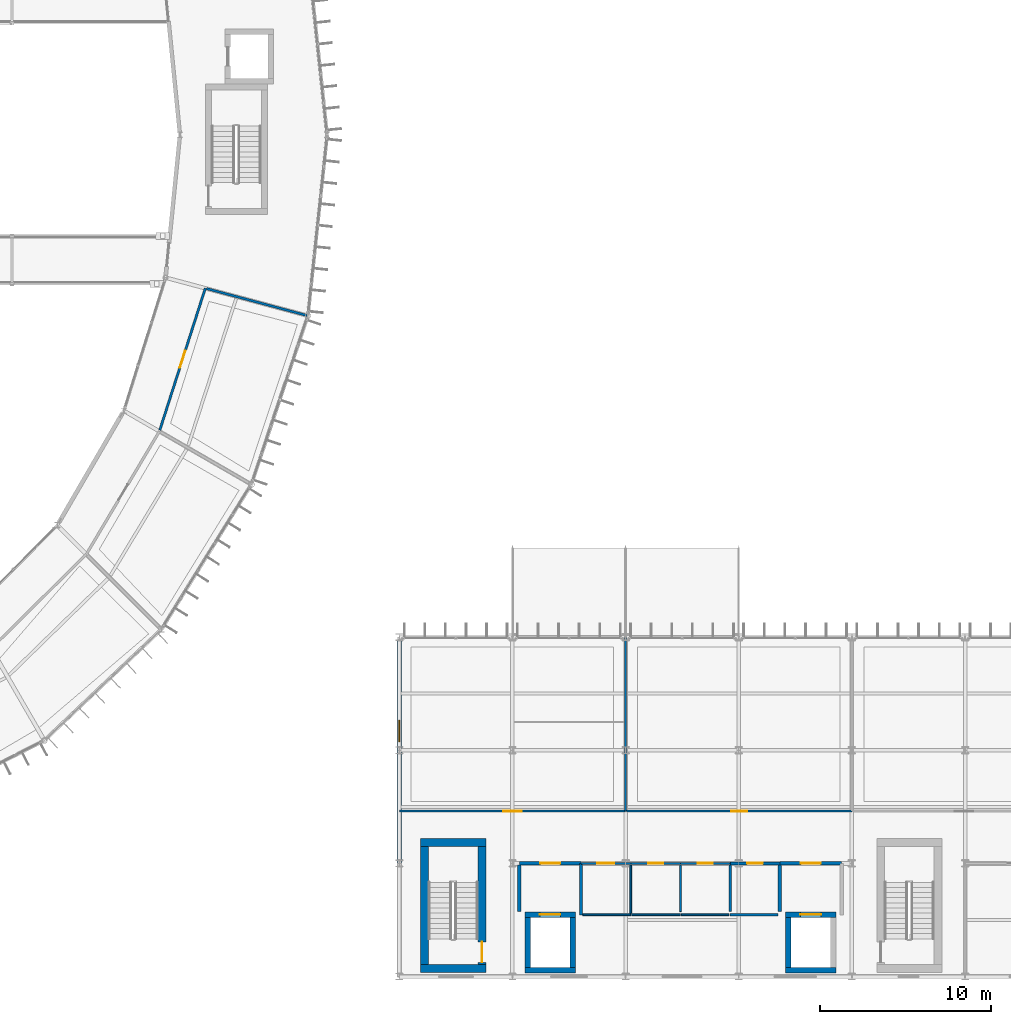
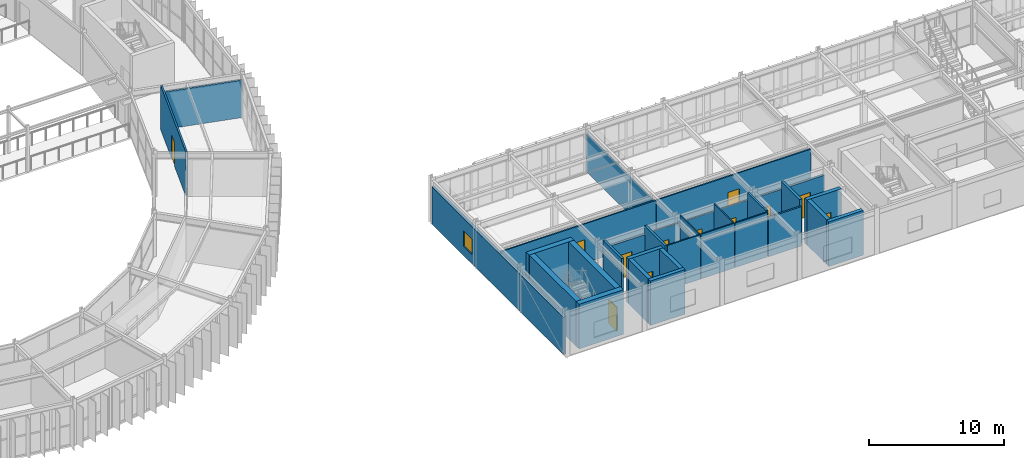
# One storey, part 124 of 148: 33 walls, 12 doors, 1 window, 13 openings.
"""IFC4 building model written with IfcOpenShell, lengths in metres."""

from ifc_helpers import new_model, si_unit, direction, frame, frame_2d, origin, place, context, subcontext, project, spatial, rectangle, extrude, material, layer, layer_set, type_object, element, fill, save


model = new_model("IFC4")

# Units and contexts
model_context = context("Model", 3, precision=1e-05, world=origin(), true_north=direction((0.0, 1.0)))
body_context = subcontext(model_context, "Body", "Model", "MODEL_VIEW")
ifc_project = project(units=[si_unit("LENGTHUNIT", "METRE"), si_unit("AREAUNIT", "SQUARE_METRE"), si_unit("VOLUMEUNIT", "CUBIC_METRE"), si_unit("PLANEANGLEUNIT", "RADIAN"), si_unit("MASSUNIT", "GRAM", prefix="KILO")], contexts=[model_context])

# Site, building, storey
site_placement = place(None, origin())
site = spatial("IfcSite", under=ifc_project, at=site_placement, CompositionType="ELEMENT")
building_placement = place(site_placement, origin())
building = spatial("IfcBuilding", under=site, at=building_placement, Name="Karori Crest Natural Sciences Institute", CompositionType="ELEMENT")
storey_placement = place(building_placement, frame((0.0, 0.0, 4.89990234375)))
storey = spatial("IfcBuildingStorey", under=building, at=storey_placement, Name="L01", CompositionType="ELEMENT", Elevation=4.89990234375)

# Walls
ifc_material_1 = material(Name="Concrete 50 MPa", Category="concrete")
ifc_layer_1 = layer(ifc_material_1, 0.449951171875, Name="Concrete 50 MPa")
ifc_layer_set_1 = layer_set([ifc_layer_1], Name="Concrete 50 MPa")
wall_type_1 = type_object("IfcWallType", Name="IWT-01", PredefinedType="SHEAR", material=ifc_layer_set_1)
for number, where, z_axis, x_axis, name in (
    (1, (104.85009765625, 1.27490234375, 0.0), (0.0, 0.0, 1.0), (1.0, 0.0, 0.0), "Shear wall IW-0077"),
    (2, (104.85009765625, 8.625, 0.0), (0.0, 0.0, 1.0), (1.0, 0.0, 0.0), "Shear wall IW-0078"),
):
    element("IfcWall", number, at=place(storey_placement, frame(where, z_axis=z_axis, x_axis=x_axis)), inside=storey, type_object=wall_type_1, Name=name, PredefinedType="SHEAR", context=body_context, shape_type="SweptSolid", body=[
        extrude(rectangle(XDim=3.7998046875, YDim=0.449951171875, at=frame_2d((1.89990234375, 0.0))), origin(), (0.0, 0.0, 1.0), 4.02001953125),
    ])
wall_1_placement = place(storey_placement, frame((105.074951171875, 1.501953125, 0.0), z_axis=(0.0, 0.0, 1.0), x_axis=(0.0, 1.0, 0.0)))
element("IfcWall", 3, at=wall_1_placement, inside=storey, type_object=wall_type_1, Name="Shear wall IW-0079", PredefinedType="SHEAR", context=body_context, shape_type="SweptSolid", body=[
    extrude(rectangle(XDim=6.89599609375, YDim=0.449951171875, at=frame_2d((3.447998046875, 0.0))), origin(), (0.0, 0.0, 1.0), 4.02001953125),
])

# Wall, opening, door
wall_2_placement = place(storey_placement, frame((108.425048828125, 1.501953125, 0.0), z_axis=(0.0, 0.0, 1.0), x_axis=(0.0, 1.0, 0.0)))
wall_2 = element("IfcWall", 4, at=wall_2_placement, inside=storey, type_object=wall_type_1, Name="Shear wall IW-0080", PredefinedType="SHEAR", context=body_context, shape_type="SweptSolid", body=[
    extrude(rectangle(XDim=6.89599609375, YDim=0.449951171875, at=frame_2d((3.447998046875, 0.0))), origin(), (0.0, 0.0, 1.0), 4.02001953125),
])
opening_1_placement = place(wall_2_placement, frame((0.1201171875, 0.0, 0.0)))
opening_1 = element("IfcOpeningElement", 5, at=opening_1_placement, cuts=wall_2, Name="Opening ID-0020", PredefinedType="OPENING", context=body_context, shape_type="SweptSolid", body=[
    extrude(rectangle(XDim=1.199951171875, YDim=2.14990234375, at=frame_2d((0.60009765625, 1.074951171875))), frame((0.0, 0.23486328125, 0.0), z_axis=(0.0, -1.0, 0.0), x_axis=(1.0, 0.0, 0.0)), (0.0, 0.0, 1.0), 0.469970703125),
])
ifc_material_2 = material(Name="Stainless steel 316 and fire-rated timber", Category="steel")
door_type_1 = type_object("IfcDoorType", Name="IDT-01", OperationType="NOTDEFINED", PredefinedType="DOOR", material=ifc_material_2)
door_1_placement = place(opening_1_placement, origin())
door_1 = element("IfcDoor", 6, at=door_1_placement, inside=storey, type_object=door_type_1, Name="Stair ST-03 fire door ID-0020", OperationType="SINGLE_SWING_RIGHT", OverallHeight=2.14990234375, OverallWidth=1.199951171875, PredefinedType="DOOR", context=body_context, shape_type="SweptSolid", body=[
    extrude(rectangle(XDim=1.199951171875, YDim=2.14990234375, at=frame_2d((0.60009765625, 1.074951171875))), frame((0.0, 0.02490234375, 0.0), z_axis=(0.0, -1.0, 0.0), x_axis=(1.0, 0.0, 0.0)), (0.0, 0.0, 1.0), 0.050048828125),
])
fill(opening_1, door_1)

# Wall
ifc_layer_2 = layer(ifc_material_1, 0.320068359375, Name="Concrete 50 MPa")
ifc_layer_set_2 = layer_set([ifc_layer_2], Name="Concrete 50 MPa")
wall_type_2 = type_object("IfcWallType", Name="IWT-03", PredefinedType="SHEAR", material=ifc_layer_set_2)
wall_3_placement = place(storey_placement, frame((110.919921875, 1.179931640625, 0.0), z_axis=(0.0, 0.0, 1.0), x_axis=(1.0, 0.0, 0.0)))
element("IfcWall", 7, at=wall_3_placement, inside=storey, type_object=wall_type_2, Name="Shear wall IW-0313", PredefinedType="SHEAR", context=body_context, shape_type="SweptSolid", body=[
    extrude(rectangle(XDim=2.9599609375, YDim=0.320068359375, at=frame_2d((1.47998046875, 0.0))), origin(), (0.0, 0.0, 1.0), 4.02001953125),
])

# Wall, opening, door
wall_4_placement = place(storey_placement, frame((110.919921875, 4.419921875, 0.0), z_axis=(0.0, 0.0, 1.0), x_axis=(1.0, 0.0, 0.0)))
wall_4 = element("IfcWall", 8, at=wall_4_placement, inside=storey, type_object=wall_type_2, Name="Shear wall IW-0314", PredefinedType="SHEAR", context=body_context, shape_type="SweptSolid", body=[
    extrude(rectangle(XDim=2.9599609375, YDim=0.320068359375, at=frame_2d((1.47998046875, 0.0))), origin(), (0.0, 0.0, 1.0), 4.02001953125),
])
opening_2_placement = place(wall_4_placement, frame((0.8798828125, 0.0, 0.0)))
opening_2 = element("IfcOpeningElement", 9, at=opening_2_placement, cuts=wall_4, Name="Opening LD-0003", PredefinedType="OPENING", context=body_context, shape_type="SweptSolid", body=[
    extrude(rectangle(XDim=1.199951171875, YDim=2.199951171875, at=frame_2d((0.60009765625, 1.10009765625))), frame((0.0, 0.169921875, 0.0), z_axis=(0.0, -1.0, 0.0), x_axis=(1.0, 0.0, 0.0)), (0.0, 0.0, 1.0), 0.340087890625),
])
door_type_2 = type_object("IfcDoorType", Name="LDT-02", OperationType="SLIDING_TO_LEFT", PredefinedType="DOOR", material=ifc_material_2)
door_2_placement = place(opening_2_placement, origin())
door_2 = element("IfcDoor", 10, at=door_2_placement, inside=storey, type_object=door_type_2, Name="Lift LF-01 landing door LD-0003", OperationType="SLIDING_TO_LEFT", OverallHeight=2.199951171875, OverallWidth=1.199951171875, PredefinedType="DOOR", context=body_context, shape_type="SweptSolid", body=[
    extrude(rectangle(XDim=1.199951171875, YDim=2.199951171875, at=frame_2d((0.60009765625, 1.10009765625))), frame((0.0, 0.02490234375, 0.0), z_axis=(0.0, -1.0, 0.0), x_axis=(1.0, 0.0, 0.0)), (0.0, 0.0, 1.0), 0.050048828125),
])
fill(opening_2, door_2)

# Walls
for number, where, z_axis, x_axis, name in (
    (11, (111.080078125, 1.342041015625, 0.0), (0.0, 0.0, 1.0), (0.0, 1.0, 0.0), "Shear wall IW-0315"),
    (12, (113.719970703125, 1.342041015625, 0.0), (0.0, 0.0, 1.0), (0.0, 1.0, 0.0), "Shear wall IW-0316"),
):
    element("IfcWall", number, at=place(storey_placement, frame(where, z_axis=z_axis, x_axis=x_axis)), inside=storey, type_object=wall_type_2, Name=name, PredefinedType="SHEAR", context=body_context, shape_type="SweptSolid", body=[
        extrude(rectangle(XDim=2.916015625, YDim=0.320068359375, at=frame_2d((1.4580078125, 0.0))), origin(), (0.0, 0.0, 1.0), 4.02001953125),
    ])
wall_5_placement = place(storey_placement, frame((126.1201171875, 1.179931640625, 0.0), z_axis=(0.0, 0.0, 1.0), x_axis=(1.0, 0.0, 0.0)))
element("IfcWall", 13, at=wall_5_placement, inside=storey, type_object=wall_type_2, Name="Shear wall IW-0361", PredefinedType="SHEAR", context=body_context, shape_type="SweptSolid", body=[
    extrude(rectangle(XDim=2.9599609375, YDim=0.320068359375, at=frame_2d((1.47998046875, 0.0))), origin(), (0.0, 0.0, 1.0), 4.02001953125),
])

# Wall, opening, door
wall_6_placement = place(storey_placement, frame((126.1201171875, 4.419921875, 0.0), z_axis=(0.0, 0.0, 1.0), x_axis=(1.0, 0.0, 0.0)))
wall_6 = element("IfcWall", 14, at=wall_6_placement, inside=storey, type_object=wall_type_2, Name="Shear wall IW-0362", PredefinedType="SHEAR", context=body_context, shape_type="SweptSolid", body=[
    extrude(rectangle(XDim=2.9599609375, YDim=0.320068359375, at=frame_2d((1.47998046875, 0.0))), origin(), (0.0, 0.0, 1.0), 4.02001953125),
])
opening_3_placement = place(wall_6_placement, frame((0.8798828125, 0.0, 0.0)))
opening_3 = element("IfcOpeningElement", 15, at=opening_3_placement, cuts=wall_6, Name="Opening LD-0015", PredefinedType="OPENING", context=body_context, shape_type="SweptSolid", body=[
    extrude(rectangle(XDim=1.199951171875, YDim=2.199951171875, at=frame_2d((0.60009765625, 1.10009765625))), frame((0.0, 0.169921875, 0.0), z_axis=(0.0, -1.0, 0.0), x_axis=(1.0, 0.0, 0.0)), (0.0, 0.0, 1.0), 0.340087890625),
])
door_3_placement = place(opening_3_placement, origin())
door_3 = element("IfcDoor", 16, at=door_3_placement, inside=storey, type_object=door_type_2, Name="Lift LF-02 landing door LD-0015", OperationType="SLIDING_TO_LEFT", OverallHeight=2.199951171875, OverallWidth=1.199951171875, PredefinedType="DOOR", context=body_context, shape_type="SweptSolid", body=[
    extrude(rectangle(XDim=1.199951171875, YDim=2.199951171875, at=frame_2d((0.60009765625, 1.10009765625))), frame((0.0, 0.02490234375, 0.0), z_axis=(0.0, -1.0, 0.0), x_axis=(1.0, 0.0, 0.0)), (0.0, 0.0, 1.0), 0.050048828125),
])
fill(opening_3, door_3)

# Wall
wall_7_placement = place(storey_placement, frame((126.280029296875, 1.342041015625, 0.0), z_axis=(0.0, 0.0, 1.0), x_axis=(0.0, 1.0, 0.0)))
element("IfcWall", 17, at=wall_7_placement, inside=storey, type_object=wall_type_2, Name="Shear wall IW-0363", PredefinedType="SHEAR", context=body_context, shape_type="SweptSolid", body=[
    extrude(rectangle(XDim=2.916015625, YDim=0.320068359375, at=frame_2d((1.4580078125, 0.0))), origin(), (0.0, 0.0, 1.0), 4.02001953125),
])

# Wall, opening, door
ifc_material_3 = material(Name="Concrete 40 MPa", Category="concrete")
ifc_layer_3 = layer(ifc_material_3, 0.199951171875, Name="Concrete 40 MPa")
ifc_layer_set_3 = layer_set([ifc_layer_3], Name="Concrete 40 MPa")
wall_type_3 = type_object("IfcWallType", Name="IWT-04", PredefinedType="SOLIDWALL", material=ifc_layer_set_3)
wall_8_placement = place(storey_placement, frame((110.60009765625, 7.39990234375, 0.0), z_axis=(0.0, 0.0, 1.0), x_axis=(1.0, 0.0, 0.0)))
wall_8 = element("IfcWall", 18, at=wall_8_placement, inside=storey, type_object=wall_type_3, Name="Partition wall IW-0602", PredefinedType="SOLIDWALL", context=body_context, shape_type="SweptSolid", body=[
    extrude(rectangle(XDim=3.599853515625, YDim=0.199951171875, at=frame_2d((1.7998046875, 0.0))), origin(), (0.0, 0.0, 1.0), 3.293212890625),
])
opening_4_placement = place(wall_8_placement, frame((1.22509765625, 0.0, 0.0)))
opening_4 = element("IfcOpeningElement", 19, at=opening_4_placement, cuts=wall_8, Name="Opening ID-0099", PredefinedType="OPENING", context=body_context, shape_type="SweptSolid", body=[
    extrude(rectangle(XDim=1.14990234375, YDim=2.14990234375, at=frame_2d((0.574951171875, 1.074951171875))), frame((0.0, 0.10986328125, 0.0), z_axis=(0.0, -1.0, 0.0), x_axis=(1.0, 0.0, 0.0)), (0.0, 0.0, 1.0), 0.219970703125),
])
door_type_3 = type_object("IfcDoorType", Name="IDT-02", OperationType="NOTDEFINED", PredefinedType="DOOR", material=ifc_material_2)
door_4_placement = place(opening_4_placement, origin())
door_4 = element("IfcDoor", 20, at=door_4_placement, inside=storey, type_object=door_type_3, Name="Firefighting Lift Lobby West door ID-0099", OperationType="SINGLE_SWING_LEFT", OverallHeight=2.14990234375, OverallWidth=1.14990234375, PredefinedType="DOOR", context=body_context, shape_type="SweptSolid", body=[
    extrude(rectangle(XDim=1.14990234375, YDim=2.14990234375, at=frame_2d((0.574951171875, 1.074951171875))), frame((0.0, 0.02490234375, 0.0), z_axis=(0.0, -1.0, 0.0), x_axis=(1.0, 0.0, 0.0)), (0.0, 0.0, 1.0), 0.050048828125),
])
fill(opening_4, door_4)

# Walls
wall_9_placement = place(storey_placement, frame((110.60009765625, 4.58203125, 0.0), z_axis=(0.0, 0.0, 1.0), x_axis=(0.0, 1.0, 0.0)))
element("IfcWall", 21, at=wall_9_placement, inside=storey, type_object=wall_type_3, Name="Partition wall IW-0603", PredefinedType="SOLIDWALL", context=body_context, shape_type="SweptSolid", body=[
    extrude(rectangle(XDim=2.716064453125, YDim=0.199951171875, at=frame_2d((1.35791015625, 0.0))), origin(), (0.0, 0.0, 1.0), 4.02001953125),
])
wall_10_placement = place(storey_placement, frame((114.199951171875, 4.39990234375, 0.0), z_axis=(0.0, 0.0, 1.0), x_axis=(0.0, 1.0, 0.0)))
element("IfcWall", 22, at=wall_10_placement, inside=storey, type_object=wall_type_3, Name="Partition wall IW-0604", PredefinedType="SOLIDWALL", context=body_context, shape_type="SweptSolid", body=[
    extrude(rectangle(XDim=3.0, YDim=0.199951171875, at=frame_2d((1.5, 0.0))), origin(), (0.0, 0.0, 1.0), 4.02001953125),
])

# Wall, opening, door
wall_11_placement = place(storey_placement, frame((125.800048828125, 7.39990234375, 0.0), z_axis=(0.0, 0.0, 1.0), x_axis=(1.0, 0.0, 0.0)))
wall_11 = element("IfcWall", 23, at=wall_11_placement, inside=storey, type_object=wall_type_3, Name="Partition wall IW-0605", PredefinedType="SOLIDWALL", context=body_context, shape_type="SweptSolid", body=[
    extrude(rectangle(XDim=3.599853515625, YDim=0.199951171875, at=frame_2d((1.7998046875, 0.0))), origin(), (0.0, 0.0, 1.0), 3.293212890625),
])
opening_5_placement = place(wall_11_placement, frame((1.22509765625, 0.0, 0.0)))
opening_5 = element("IfcOpeningElement", 24, at=opening_5_placement, cuts=wall_11, Name="Opening ID-0100", PredefinedType="OPENING", context=body_context, shape_type="SweptSolid", body=[
    extrude(rectangle(XDim=1.14990234375, YDim=2.14990234375, at=frame_2d((0.574951171875, 1.074951171875))), frame((0.0, 0.10986328125, 0.0), z_axis=(0.0, -1.0, 0.0), x_axis=(1.0, 0.0, 0.0)), (0.0, 0.0, 1.0), 0.219970703125),
])
door_5_placement = place(opening_5_placement, origin())
door_5 = element("IfcDoor", 25, at=door_5_placement, inside=storey, type_object=door_type_3, Name="Firefighting Lift Lobby East door ID-0100", OperationType="SINGLE_SWING_RIGHT", OverallHeight=2.14990234375, OverallWidth=1.14990234375, PredefinedType="DOOR", context=body_context, shape_type="SweptSolid", body=[
    extrude(rectangle(XDim=1.14990234375, YDim=2.14990234375, at=frame_2d((0.574951171875, 1.074951171875))), frame((0.0, 0.02490234375, 0.0), z_axis=(0.0, -1.0, 0.0), x_axis=(1.0, 0.0, 0.0)), (0.0, 0.0, 1.0), 0.050048828125),
])
fill(opening_5, door_5)

# Walls
wall_12_placement = place(storey_placement, frame((125.800048828125, 4.58203125, 0.0), z_axis=(0.0, 0.0, 1.0), x_axis=(0.0, 1.0, 0.0)))
element("IfcWall", 26, at=wall_12_placement, inside=storey, type_object=wall_type_3, Name="Partition wall IW-0606", PredefinedType="SOLIDWALL", context=body_context, shape_type="SweptSolid", body=[
    extrude(rectangle(XDim=2.716064453125, YDim=0.199951171875, at=frame_2d((1.35791015625, 0.0))), origin(), (0.0, 0.0, 1.0), 4.02001953125),
])
ifc_material_4 = material(Name="Acoustic steel-stud fireboard partition", Category="steel")
ifc_layer_4 = layer(ifc_material_4, 0.159912109375, Name="Acoustic steel-stud fireboard partition")
ifc_layer_set_4 = layer_set([ifc_layer_4], Name="Acoustic steel-stud fireboard partition")
wall_type_4 = type_object("IfcWallType", Name="IWT-05", PredefinedType="PARTITIONING", material=ifc_layer_set_4)
wall_13_placement = place(storey_placement, frame((122.89990234375, 4.39990234375, 0.0), z_axis=(0.0, 0.0, 1.0), x_axis=(1.0, 0.0, 0.0)))
element("IfcWall", 27, at=wall_13_placement, inside=storey, type_object=wall_type_4, Name="Partition wall IW-0608", PredefinedType="PARTITIONING", context=body_context, shape_type="SweptSolid", body=[
    extrude(rectangle(XDim=2.798095703125, YDim=0.159912109375, at=frame_2d((1.39892578125, 0.0))), origin(), (0.0, 0.0, 1.0), 3.546142578125),
])

# Wall, opening, door
wall_14_placement = place(storey_placement, frame((122.89990234375, 7.39990234375, 0.0), z_axis=(0.0, 0.0, 1.0), x_axis=(1.0, 0.0, 0.0)))
wall_14 = element("IfcWall", 28, at=wall_14_placement, inside=storey, type_object=wall_type_4, Name="Partition wall IW-0609", PredefinedType="PARTITIONING", context=body_context, shape_type="SweptSolid", body=[
    extrude(rectangle(XDim=2.898193359375, YDim=0.159912109375, at=frame_2d((1.44921875, 0.0))), origin(), (0.0, 0.0, 1.0), 3.293212890625),
])
opening_6_placement = place(wall_14_placement, frame((0.989013671875, 0.0, 0.0)))
opening_6 = element("IfcOpeningElement", 29, at=opening_6_placement, cuts=wall_14, Name="Opening ID-0101", PredefinedType="OPENING", context=body_context, shape_type="SweptSolid", body=[
    extrude(rectangle(XDim=0.919921875, YDim=2.1201171875, at=frame_2d((0.4599609375, 1.06005859375))), frame((0.0, 0.08984375, 0.0), z_axis=(0.0, -1.0, 0.0), x_axis=(1.0, 0.0, 0.0)), (0.0, 0.0, 1.0), 0.179931640625),
])
door_type_4 = type_object("IfcDoorType", Name="IDT-14", OperationType="NOTDEFINED", PredefinedType="DOOR", material=ifc_material_2)
door_6_placement = place(opening_6_placement, origin())
door_6 = element("IfcDoor", 30, at=door_6_placement, inside=storey, type_object=door_type_4, Name="Research Archive Store door ID-0101", OperationType="SINGLE_SWING_LEFT", OverallHeight=2.1201171875, OverallWidth=0.919921875, PredefinedType="DOOR", context=body_context, shape_type="SweptSolid", body=[
    extrude(rectangle(XDim=0.919921875, YDim=2.1201171875, at=frame_2d((0.4599609375, 1.06005859375))), frame((0.0, 0.02490234375, 0.0), z_axis=(0.0, -1.0, 0.0), x_axis=(1.0, 0.0, 0.0)), (0.0, 0.0, 1.0), 0.050048828125),
])
fill(opening_6, door_6)

# Wall
wall_15_placement = place(storey_placement, frame((122.89990234375, 4.58203125, 0.0), z_axis=(0.0, 0.0, 1.0), x_axis=(0.0, 1.0, 0.0)))
element("IfcWall", 31, at=wall_15_placement, inside=storey, type_object=wall_type_4, Name="Partition wall IW-0610", PredefinedType="PARTITIONING", context=body_context, shape_type="SweptSolid", body=[
    extrude(rectangle(XDim=2.716064453125, YDim=0.159912109375, at=frame_2d((1.35791015625, 0.0))), origin(), (0.0, 0.0, 1.0), 4.02001953125),
])

# Wall, opening, door
ifc_material_5 = material(Name="Laboratory acoustic drywall partition")
ifc_layer_5 = layer(ifc_material_5, 0.139892578125, Name="Laboratory acoustic drywall partition")
ifc_layer_set_5 = layer_set([ifc_layer_5], Name="Laboratory acoustic drywall partition")
wall_type_5 = type_object("IfcWallType", Name="IWT-07", PredefinedType="PARTITIONING", material=ifc_layer_set_5)
wall_16_placement = place(storey_placement, frame((89.632080078125, 32.670166015625, 0.0), z_axis=(0.0, 0.0, 1.0), x_axis=(0.305495322231, 0.952193577008, 0.0)))
wall_16 = element("IfcWall", 32, at=wall_16_placement, inside=storey, type_object=wall_type_5, Name="Partition wall IW-1247", PredefinedType="PARTITIONING", context=body_context, shape_type="SweptSolid", body=[
    extrude(rectangle(XDim=8.690185546875, YDim=0.139892578125, at=frame_2d((4.34521484375, 0.0))), origin(), (0.0, 0.0, 1.0), 3.97998046875),
])
opening_7_placement = place(wall_16_placement, frame((3.820068359375, 0.0, 0.0)))
opening_7 = element("IfcOpeningElement", 33, at=opening_7_placement, cuts=wall_16, Name="Opening ID-0382", PredefinedType="OPENING", context=body_context, shape_type="SweptSolid", body=[
    extrude(rectangle(XDim=1.050048828125, YDim=2.14990234375, at=frame_2d((0.52490234375, 1.074951171875))), frame((0.0, 0.080078125, 0.0), z_axis=(0.0, -1.0, 0.0), x_axis=(1.0, 0.0, 0.0)), (0.0, 0.0, 1.0), 0.159912109375),
])
door_type_5 = type_object("IfcDoorType", Name="IDT-03", OperationType="NOTDEFINED", PredefinedType="DOOR", material=ifc_material_2)
door_7_placement = place(opening_7_placement, origin())
door_7 = element("IfcDoor", 34, at=door_7_placement, inside=storey, type_object=door_type_5, Name="Dry Optics Physics Laboratory door ID-0382", OperationType="SINGLE_SWING_RIGHT", OverallHeight=2.14990234375, OverallWidth=1.050048828125, PredefinedType="DOOR", context=body_context, shape_type="SweptSolid", body=[
    extrude(rectangle(XDim=1.050048828125, YDim=2.14990234375, at=frame_2d((0.52490234375, 1.074951171875))), frame((0.0, 0.02490234375, 0.0), z_axis=(0.0, -1.0, 0.0), x_axis=(1.0, 0.0, 0.0)), (0.0, 0.0, 1.0), 0.050048828125),
])
fill(opening_7, door_7)

# Wall
wall_17_placement = place(storey_placement, frame((92.364013671875, 40.92431640625, 0.0), z_axis=(0.0, 0.0, 1.0), x_axis=(0.96591927772, -0.258843483457, 0.0)))
element("IfcWall", 35, at=wall_17_placement, inside=storey, type_object=wall_type_5, Name="Partition wall IW-1248", PredefinedType="PARTITIONING", context=body_context, shape_type="SweptSolid", body=[
    extrude(rectangle(XDim=6.06005859375, YDim=0.139892578125, at=frame_2d((3.030029296875, 0.0))), origin(), (0.0, 0.0, 1.0), 3.39208984375),
])

# Wall, opening, door
ifc_material_6 = material(Name="Write-up office acoustic partition")
ifc_layer_6 = layer(ifc_material_6, 0.1201171875, Name="Write-up office acoustic partition")
ifc_layer_set_6 = layer_set([ifc_layer_6], Name="Write-up office acoustic partition")
wall_type_6 = type_object("IfcWallType", Name="IWT-08", PredefinedType="PARTITIONING", material=ifc_layer_set_6)
wall_18_placement = place(storey_placement, frame((103.60009765625, 10.449951171875, 0.0), z_axis=(0.0, 0.0, 1.0), x_axis=(1.0, 0.0, 0.0)))
wall_18 = element("IfcWall", 36, at=wall_18_placement, inside=storey, type_object=wall_type_6, Name="Partition wall IW-0623", PredefinedType="PARTITIONING", context=body_context, shape_type="SweptSolid", body=[
    extrude(rectangle(XDim=13.199951171875, YDim=0.1201171875, at=frame_2d((6.60009765625, 0.0))), origin(), (0.0, 0.0, 1.0), 3.546142578125),
])
opening_8_placement = place(wall_18_placement, frame((6.06005859375, 0.0, 0.0)))
opening_8 = element("IfcOpeningElement", 37, at=opening_8_placement, cuts=wall_18, Name="Opening ID-0107", PredefinedType="OPENING", context=body_context, shape_type="SweptSolid", body=[
    extrude(rectangle(XDim=1.080078125, YDim=2.1201171875, at=frame_2d((0.5400390625, 1.06005859375))), frame((0.0, 0.070068359375, 0.0), z_axis=(0.0, -1.0, 0.0), x_axis=(1.0, 0.0, 0.0)), (0.0, 0.0, 1.0), 0.14013671875),
])
ifc_material_7 = material(Name="Anodised aluminium and acoustic timber", Category="wood")
door_type_6 = type_object("IfcDoorType", Name="IDT-12", OperationType="NOTDEFINED", PredefinedType="DOOR", material=ifc_material_7)
door_8_placement = place(opening_8_placement, origin())
door_8 = element("IfcDoor", 38, at=door_8_placement, inside=storey, type_object=door_type_6, Name="Write-Up Office door ID-0107", OperationType="SINGLE_SWING_LEFT", OverallHeight=2.1201171875, OverallWidth=1.080078125, PredefinedType="DOOR", context=body_context, shape_type="SweptSolid", body=[
    extrude(rectangle(XDim=1.080078125, YDim=2.1201171875, at=frame_2d((0.5400390625, 1.06005859375))), frame((0.0, 0.02490234375, 0.0), z_axis=(0.0, -1.0, 0.0), x_axis=(1.0, 0.0, 0.0)), (0.0, 0.0, 1.0), 0.050048828125),
])
fill(opening_8, door_8)

# Wall
wall_19_placement = place(storey_placement, frame((116.800048828125, 10.449951171875, 0.0), z_axis=(0.0, 0.0, 1.0), x_axis=(0.0, 1.0, 0.0)))
element("IfcWall", 39, at=wall_19_placement, inside=storey, type_object=wall_type_6, Name="Partition wall IW-0624", PredefinedType="PARTITIONING", context=body_context, shape_type="SweptSolid", body=[
    extrude(rectangle(XDim=10.150146484375, YDim=0.1201171875, at=frame_2d((5.0751953125, 0.0))), origin(), (0.0, 0.0, 1.0), 3.3720703125),
])

# Wall, opening, door
wall_20_placement = place(storey_placement, frame((116.862060546875, 10.449951171875, 0.0), z_axis=(0.0, 0.0, 1.0), x_axis=(1.0, 0.0, 0.0)))
wall_20 = element("IfcWall", 40, at=wall_20_placement, inside=storey, type_object=wall_type_6, Name="Partition wall IW-0625", PredefinedType="PARTITIONING", context=body_context, shape_type="SweptSolid", body=[
    extrude(rectangle(XDim=13.137939453125, YDim=0.1201171875, at=frame_2d((6.56884765625, 0.0))), origin(), (0.0, 0.0, 1.0), 3.546142578125),
])
opening_9_placement = place(wall_20_placement, frame((6.093994140625, 0.0, 0.0)))
opening_9 = element("IfcOpeningElement", 41, at=opening_9_placement, cuts=wall_20, Name="Opening ID-0108", PredefinedType="OPENING", context=body_context, shape_type="SweptSolid", body=[
    extrude(rectangle(XDim=0.949951171875, YDim=2.10009765625, at=frame_2d((0.47509765625, 1.050048828125))), frame((0.0, 0.070068359375, 0.0), z_axis=(0.0, -1.0, 0.0), x_axis=(1.0, 0.0, 0.0)), (0.0, 0.0, 1.0), 0.14013671875),
])
door_type_7 = type_object("IfcDoorType", Name="IDT-08", OperationType="NOTDEFINED", PredefinedType="DOOR", material=ifc_material_7)
door_9_placement = place(opening_9_placement, origin())
door_9 = element("IfcDoor", 42, at=door_9_placement, inside=storey, type_object=door_type_7, Name="Ecological Modelling Studio door ID-0108", OperationType="SINGLE_SWING_RIGHT", OverallHeight=2.10009765625, OverallWidth=0.949951171875, PredefinedType="DOOR", context=body_context, shape_type="SweptSolid", body=[
    extrude(rectangle(XDim=0.949951171875, YDim=2.10009765625, at=frame_2d((0.47509765625, 1.050048828125))), frame((0.0, 0.02490234375, 0.0), z_axis=(0.0, -1.0, 0.0), x_axis=(1.0, 0.0, 0.0)), (0.0, 0.0, 1.0), 0.050048828125),
])
fill(opening_9, door_9)

# Wall
ifc_material_8 = material(Name="Washroom moisture-resistant partition")
ifc_layer_7 = layer(ifc_material_8, 0.10009765625, Name="Washroom moisture-resistant partition")
ifc_layer_set_7 = layer_set([ifc_layer_7], Name="Washroom moisture-resistant partition")
wall_type_7 = type_object("IfcWallType", Name="IWT-09", PredefinedType="PARTITIONING", material=ifc_layer_set_7)
wall_21_placement = place(storey_placement, frame((114.302001953125, 4.39990234375, 0.0), z_axis=(0.0, 0.0, 1.0), x_axis=(1.0, 0.0, 0.0)))
element("IfcWall", 43, at=wall_21_placement, inside=storey, type_object=wall_type_7, Name="Partition wall IW-0611", PredefinedType="PARTITIONING", context=body_context, shape_type="SweptSolid", body=[
    extrude(rectangle(XDim=2.798095703125, YDim=0.10009765625, at=frame_2d((1.39892578125, 0.0))), origin(), (0.0, 0.0, 1.0), 4.02001953125),
])

# Wall, opening, door
wall_22_placement = place(storey_placement, frame((114.201904296875, 7.39990234375, 0.0), z_axis=(0.0, 0.0, 1.0), x_axis=(1.0, 0.0, 0.0)))
wall_22 = element("IfcWall", 44, at=wall_22_placement, inside=storey, type_object=wall_type_7, Name="Partition wall IW-0612", PredefinedType="PARTITIONING", context=body_context, shape_type="SweptSolid", body=[
    extrude(rectangle(XDim=2.898193359375, YDim=0.10009765625, at=frame_2d((1.44921875, 0.0))), origin(), (0.0, 0.0, 1.0), 3.293212890625),
])
opening_10_placement = place(wall_22_placement, frame((0.948974609375, 0.0, 0.0)))
opening_10 = element("IfcOpeningElement", 45, at=opening_10_placement, cuts=wall_22, Name="Opening ID-0102", PredefinedType="OPENING", context=body_context, shape_type="SweptSolid", body=[
    extrude(rectangle(XDim=1.0, YDim=2.10009765625, at=frame_2d((0.5, 1.050048828125))), frame((0.0, 0.06005859375, 0.0), z_axis=(0.0, -1.0, 0.0), x_axis=(1.0, 0.0, 0.0)), (0.0, 0.0, 1.0), 0.1201171875),
])
door_type_8 = type_object("IfcDoorType", Name="IDT-09", OperationType="NOTDEFINED", PredefinedType="DOOR", material=ifc_material_7)
door_10_placement = place(opening_10_placement, origin())
door_10 = element("IfcDoor", 46, at=door_10_placement, inside=storey, type_object=door_type_8, Name="Accessible WC door ID-0102", OperationType="SINGLE_SWING_RIGHT", OverallHeight=2.10009765625, OverallWidth=1.0, PredefinedType="DOOR", context=body_context, shape_type="SweptSolid", body=[
    extrude(rectangle(XDim=1.0, YDim=2.10009765625, at=frame_2d((0.5, 1.050048828125))), frame((0.0, 0.02490234375, 0.0), z_axis=(0.0, -1.0, 0.0), x_axis=(1.0, 0.0, 0.0)), (0.0, 0.0, 1.0), 0.050048828125),
])
fill(opening_10, door_10)

# Walls
wall_23_placement = place(storey_placement, frame((117.10009765625, 4.48193359375, 0.0), z_axis=(0.0, 0.0, 1.0), x_axis=(0.0, 1.0, 0.0)))
element("IfcWall", 47, at=wall_23_placement, inside=storey, type_object=wall_type_7, Name="Partition wall IW-0613", PredefinedType="PARTITIONING", context=body_context, shape_type="SweptSolid", body=[
    extrude(rectangle(XDim=2.816162109375, YDim=0.10009765625, at=frame_2d((1.408203125, 0.0))), origin(), (0.0, 0.0, 1.0), 4.02001953125),
])
wall_24_placement = place(storey_placement, frame((117.152099609375, 4.39990234375, 0.0), z_axis=(0.0, 0.0, 1.0), x_axis=(1.0, 0.0, 0.0)))
element("IfcWall", 48, at=wall_24_placement, inside=storey, type_object=wall_type_7, Name="Partition wall IW-0614", PredefinedType="PARTITIONING", context=body_context, shape_type="SweptSolid", body=[
    extrude(rectangle(XDim=2.847900390625, YDim=0.10009765625, at=frame_2d((1.423828125, 0.0))), origin(), (0.0, 0.0, 1.0), 4.02001953125),
])

# Wall, opening, door
wall_25_placement = place(storey_placement, frame((117.10205078125, 7.39990234375, 0.0), z_axis=(0.0, 0.0, 1.0), x_axis=(1.0, 0.0, 0.0)))
wall_25 = element("IfcWall", 49, at=wall_25_placement, inside=storey, type_object=wall_type_7, Name="Partition wall IW-0615", PredefinedType="PARTITIONING", context=body_context, shape_type="SweptSolid", body=[
    extrude(rectangle(XDim=2.89794921875, YDim=0.10009765625, at=frame_2d((1.448974609375, 0.0))), origin(), (0.0, 0.0, 1.0), 3.293212890625),
])
opening_11_placement = place(wall_25_placement, frame((1.009033203125, 0.0, 0.0)))
opening_11 = element("IfcOpeningElement", 50, at=opening_11_placement, cuts=wall_25, Name="Opening ID-0103", PredefinedType="OPENING", context=body_context, shape_type="SweptSolid", body=[
    extrude(rectangle(XDim=0.8798828125, YDim=2.080078125, at=frame_2d((0.43994140625, 1.0400390625))), frame((0.0, 0.06005859375, 0.0), z_axis=(0.0, -1.0, 0.0), x_axis=(1.0, 0.0, 0.0)), (0.0, 0.0, 1.0), 0.1201171875),
])
door_type_9 = type_object("IfcDoorType", Name="IDT-10", OperationType="NOTDEFINED", PredefinedType="DOOR", material=ifc_material_7)
door_11_placement = place(opening_11_placement, origin())
door_11 = element("IfcDoor", 51, at=door_11_placement, inside=storey, type_object=door_type_9, Name="Female Washroom WC door ID-0103", OperationType="SINGLE_SWING_LEFT", OverallHeight=2.080078125, OverallWidth=0.8798828125, PredefinedType="DOOR", context=body_context, shape_type="SweptSolid", body=[
    extrude(rectangle(XDim=0.8798828125, YDim=2.080078125, at=frame_2d((0.43994140625, 1.0400390625))), frame((0.0, 0.02490234375, 0.0), z_axis=(0.0, -1.0, 0.0), x_axis=(1.0, 0.0, 0.0)), (0.0, 0.0, 1.0), 0.050048828125),
])
fill(opening_11, door_11)

# Walls
wall_26_placement = place(storey_placement, frame((120.0, 4.58203125, 0.0), z_axis=(0.0, 0.0, 1.0), x_axis=(0.0, 1.0, 0.0)))
element("IfcWall", 52, at=wall_26_placement, inside=storey, type_object=wall_type_7, Name="Partition wall IW-0616", PredefinedType="PARTITIONING", context=body_context, shape_type="SweptSolid", body=[
    extrude(rectangle(XDim=2.716064453125, YDim=0.10009765625, at=frame_2d((1.35791015625, 0.0))), origin(), (0.0, 0.0, 1.0), 4.02001953125),
])
wall_27_placement = place(storey_placement, frame((120.052001953125, 4.39990234375, 0.0), z_axis=(0.0, 0.0, 1.0), x_axis=(1.0, 0.0, 0.0)))
element("IfcWall", 53, at=wall_27_placement, inside=storey, type_object=wall_type_7, Name="Partition wall IW-0617", PredefinedType="PARTITIONING", context=body_context, shape_type="SweptSolid", body=[
    extrude(rectangle(XDim=2.76611328125, YDim=0.10009765625, at=frame_2d((1.383056640625, 0.0))), origin(), (0.0, 0.0, 1.0), 4.02001953125),
])

# Wall, opening, door
wall_28_placement = place(storey_placement, frame((120.001953125, 7.39990234375, 0.0), z_axis=(0.0, 0.0, 1.0), x_axis=(1.0, 0.0, 0.0)))
wall_28 = element("IfcWall", 54, at=wall_28_placement, inside=storey, type_object=wall_type_7, Name="Partition wall IW-0618", PredefinedType="PARTITIONING", context=body_context, shape_type="SweptSolid", body=[
    extrude(rectangle(XDim=2.89599609375, YDim=0.10009765625, at=frame_2d((1.447998046875, 0.0))), origin(), (0.0, 0.0, 1.0), 3.293212890625),
])
opening_12_placement = place(wall_28_placement, frame((1.008056640625, 0.0, 0.0)))
opening_12 = element("IfcOpeningElement", 55, at=opening_12_placement, cuts=wall_28, Name="Opening ID-0104", PredefinedType="OPENING", context=body_context, shape_type="SweptSolid", body=[
    extrude(rectangle(XDim=0.8798828125, YDim=2.080078125, at=frame_2d((0.43994140625, 1.0400390625))), frame((0.0, 0.06005859375, 0.0), z_axis=(0.0, -1.0, 0.0), x_axis=(1.0, 0.0, 0.0)), (0.0, 0.0, 1.0), 0.1201171875),
])
door_12_placement = place(opening_12_placement, origin())
door_12 = element("IfcDoor", 56, at=door_12_placement, inside=storey, type_object=door_type_9, Name="Male Washroom WC door ID-0104", OperationType="SINGLE_SWING_RIGHT", OverallHeight=2.080078125, OverallWidth=0.8798828125, PredefinedType="DOOR", context=body_context, shape_type="SweptSolid", body=[
    extrude(rectangle(XDim=0.8798828125, YDim=2.080078125, at=frame_2d((0.43994140625, 1.0400390625))), frame((0.0, 0.02490234375, 0.0), z_axis=(0.0, -1.0, 0.0), x_axis=(1.0, 0.0, 0.0)), (0.0, 0.0, 1.0), 0.050048828125),
])
fill(opening_12, door_12)

# Wall, opening, window
ifc_material_9 = material(Name="Precast concrete 40 MPa", Category="concrete")
ifc_layer_8 = layer(ifc_material_9, 0.239990234375, Name="Precast concrete 40 MPa")
ifc_layer_set_8 = layer_set([ifc_layer_8], Name="Precast concrete 40 MPa")
wall_type_8 = type_object("IfcWallType", Name="WT-04", PredefinedType="SOLIDWALL", material=ifc_layer_set_8)
wall_29_placement = place(storey_placement, frame((103.60009765625, 0.998046875, 0.0), z_axis=(0.0, 0.0, 1.0), x_axis=(0.0, 1.0, 0.0)))
wall_29 = element("IfcWall", 57, at=wall_29_placement, inside=storey, type_object=wall_type_8, Name="Exterior wall EW-0197", PredefinedType="SOLIDWALL", context=body_context, shape_type="SweptSolid", body=[
    extrude(rectangle(XDim=19.404052734375, YDim=0.239990234375, at=frame_2d((9.7021484375, 0.0))), origin(), (0.0, 0.0, 1.0), 3.3720703125),
])
opening_13_placement = place(wall_29_placement, frame((13.5, 0.0, 0.85009765625)))
opening_13 = element("IfcOpeningElement", 58, at=opening_13_placement, cuts=wall_29, Name="Opening WN-0132", PredefinedType="OPENING", context=body_context, shape_type="SweptSolid", body=[
    extrude(rectangle(XDim=1.25, YDim=1.39990234375, at=frame_2d((0.625, 0.699951171875))), frame((0.0, 0.1298828125, 0.0), z_axis=(0.0, -1.0, 0.0), x_axis=(1.0, 0.0, 0.0)), (0.0, 0.0, 1.0), 0.260009765625),
])
ifc_material_10 = material(Name="Double low-E laminated glass", Category="glass")
window_type = type_object("IfcWindowType", Name="WNT-02", PartitioningType="SINGLE_PANEL", PredefinedType="WINDOW", material=ifc_material_10)
window_placement = place(opening_13_placement, origin())
window = element("IfcWindow", 59, at=window_placement, inside=storey, type_object=window_type, Name="Window WN-0132", OverallHeight=1.39990234375, OverallWidth=1.25, PartitioningType="SINGLE_PANEL", PredefinedType="WINDOW", context=body_context, shape_type="SweptSolid", body=[
    extrude(rectangle(XDim=1.25, YDim=1.39990234375, at=frame_2d((0.625, 0.699951171875))), frame((0.0, 0.030029296875, 0.0), z_axis=(0.0, -1.0, 0.0), x_axis=(1.0, 0.0, 0.0)), (0.0, 0.0, 1.0), 0.06005859375),
])
fill(opening_13, window)

save(model, "model.ifc")
